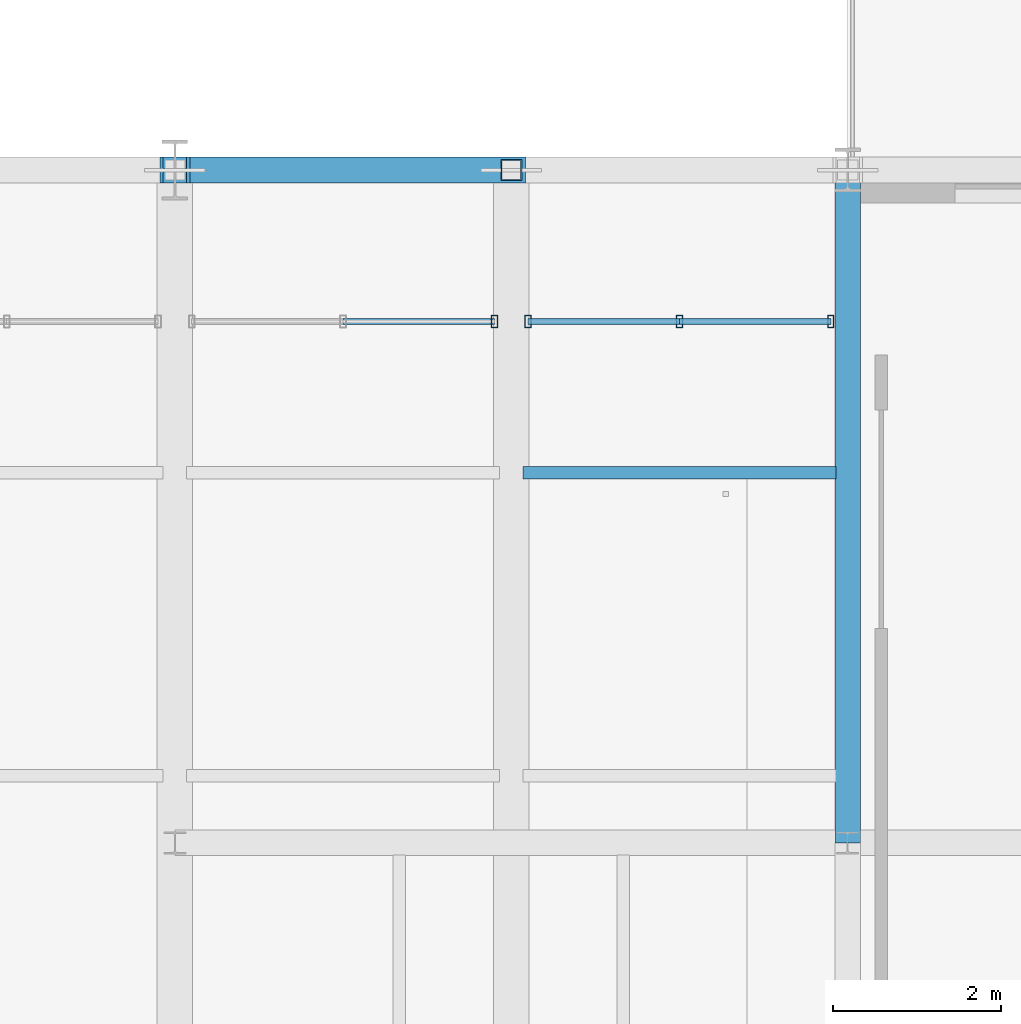
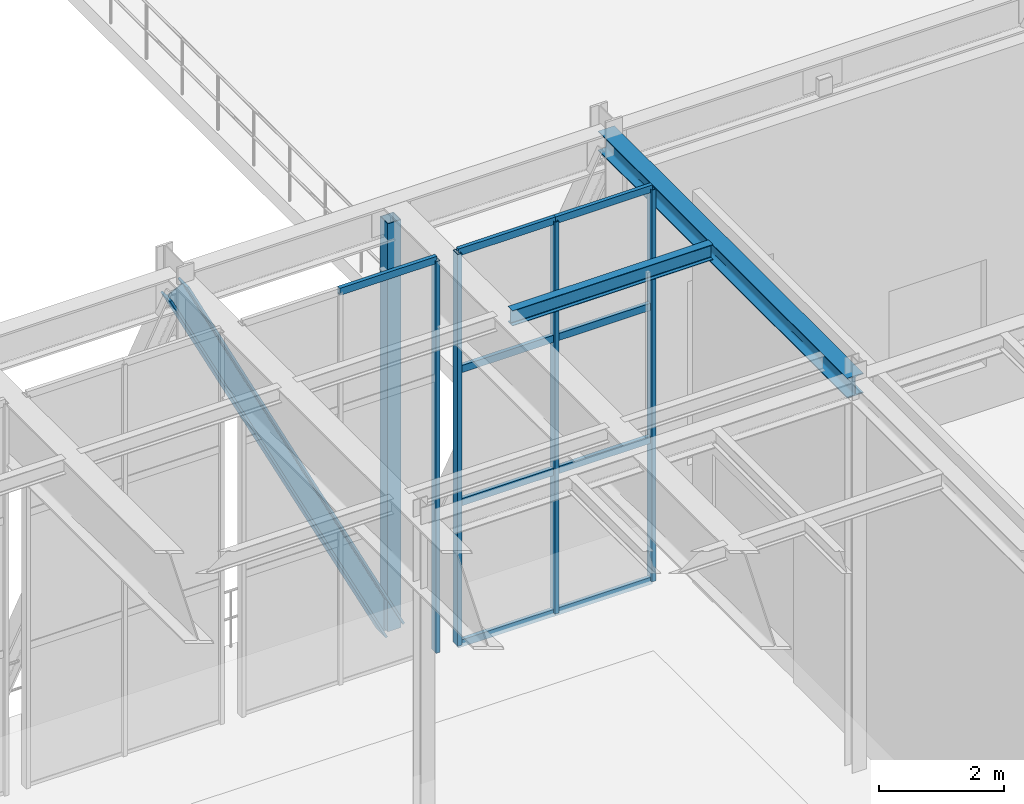
# One storey, part 33 of 138: 15 members, 2 beams, 2 elements without a shape of their own.
"""IFC4 building model written with IfcOpenShell, lengths in metres."""

from ifc_helpers import new_model, si_unit, direction, frame, origin, origin_2d, place, context, subcontext, project, spatial, hollow_rectangle, i_section, extrude, material, material_profile, profile_set, type_object, element, aggregate, save


model = new_model("IFC4")

# Units and contexts
model_context = context("Model", 3, precision=1e-05, world=origin(), true_north=direction((0.0, 1.0)))
body_context = subcontext(model_context, "Body", "Model", "MODEL_VIEW")
ifc_project = project(units=[si_unit("LENGTHUNIT", "METRE"), si_unit("AREAUNIT", "SQUARE_METRE"), si_unit("VOLUMEUNIT", "CUBIC_METRE"), si_unit("PLANEANGLEUNIT", "RADIAN"), si_unit("MASSUNIT", "GRAM", prefix="KILO")], contexts=[model_context])

# Site, building, storey
site_placement = place(None, origin())
site = spatial("IfcSite", under=ifc_project, at=site_placement, CompositionType="ELEMENT")
building_placement = place(site_placement, origin())
building = spatial("IfcBuilding", under=site, at=building_placement, Name="Sundkrona Museum", CompositionType="ELEMENT")
storey_placement = place(building_placement, frame((0.0, 0.0, 9.60009765625)))
storey = spatial("IfcBuildingStorey", under=building, at=storey_placement, Name="L02", CompositionType="ELEMENT", Elevation=9.60009765625)

# Beams
ifc_material_1 = material(Name="Steel S355J2", Category="steel")
ifc_material_profile_1 = material_profile(ifc_material_1, i_section(OverallWidth=0.300048828125, OverallDepth=0.389892578125, WebThickness=0.010986328125, FlangeThickness=0.01904296875, FilletRadius=0.027099609375, at=origin_2d()), Name="HEA 400")
ifc_profile_set_1 = profile_set([ifc_material_profile_1], Name="Steel S355J2")
beam_type_1 = type_object("IfcBeamType", Name="B-HEA400", PredefinedType="BEAM", material=ifc_profile_set_1)
beam_1_placement = place(storey_placement, frame((24.0, 46.0, 7.47998046875), z_axis=(0.0, 1.0, 0.0), x_axis=(-1.0, 0.0, 0.0)))
element("IfcBeam", 1, at=beam_1_placement, inside=storey, type_object=beam_type_1, Name="L02 Girder Y-1273", PredefinedType="BEAM", context=body_context, shape_type="SweptSolid", body=[
    extrude(i_section(OverallWidth=0.300048828125, OverallDepth=0.389892578125, WebThickness=0.010986328125, FlangeThickness=0.01904296875, FilletRadius=0.027099609375, at=origin_2d()), origin(), (0.0, 0.0, 1.0), 8.0),
])
ifc_material_profile_2 = material_profile(ifc_material_1, i_section(OverallWidth=0.14990234375, OverallDepth=0.300048828125, WebThickness=0.007080078125, FlangeThickness=0.0107421875, FilletRadius=0.014892578125, at=origin_2d()), Name="IPE 300")
ifc_profile_set_2 = profile_set([ifc_material_profile_2], Name="Steel S355J2")
beam_type_2 = type_object("IfcBeamType", Name="J-IPE300", PredefinedType="JOIST", material=ifc_profile_set_2)
beam_2_placement = place(storey_placement, frame((20.139892578125, 50.39990234375, 7.52490234375), z_axis=(1.0, 0.0, 0.0), x_axis=(0.0, 1.0, 0.0)))
element("IfcBeam", 2, at=beam_2_placement, inside=storey, type_object=beam_type_2, Name="L02 Cantilever Floor Joist", PredefinedType="JOIST", context=body_context, shape_type="SweptSolid", body=[
    extrude(i_section(OverallWidth=0.14990234375, OverallDepth=0.300048828125, WebThickness=0.007080078125, FlangeThickness=0.0107421875, FilletRadius=0.014892578125, at=origin_2d()), origin(), (0.0, 0.0, 1.0), 3.72021484375),
])

# Curtain wall, member
ifc_material_2 = material(Name="Unitised Aluminium-Steel and Ceramic-Clad Curtain Walling", Category="steel")
curtain_wall_type = type_object("IfcCurtainWallType", Name="CW-CV-36x74", PredefinedType="NOTDEFINED", material=ifc_material_2)
curtain_wall_1_placement = place(storey_placement, origin())
curtain_wall_1 = element("IfcCurtainWall", 3, at=curtain_wall_1_placement, inside=storey, type_object=curtain_wall_type, Name="L02 Curtain Wall CW-L02-149", PredefinedType="NOTDEFINED")
ifc_material_3 = material(Name="Aluminium EN AW-6060 T66", Category="aluminium")
ifc_material_profile_3 = material_profile(ifc_material_3, hollow_rectangle(XDim=0.074951171875, YDim=0.14990234375, WallThickness=0.00634765625, at=origin_2d()), Name="RHS 150x75x6.3")
ifc_profile_set_3 = profile_set([ifc_material_profile_3], Name="Aluminium EN AW-6060 T66")
member_type_1 = type_object("IfcMemberType", Name="ML-150", PredefinedType="MULLION", material=ifc_profile_set_3)
member_1_placement = place(storey_placement, frame((19.800048828125, 52.199951171875, -0.004150390625), z_axis=(0.0, 0.0, 1.0), x_axis=(1.0, 0.0, 0.0)))
member_1 = element("IfcMember", 4, at=member_1_placement, type_object=member_type_1, Name="CW-L02-149 Mullion 03", PredefinedType="MULLION", context=body_context, shape_type="SweptSolid", body=[
    extrude(hollow_rectangle(XDim=0.074951171875, YDim=0.14990234375, WallThickness=0.00634765625, at=origin_2d()), origin(), (0.0, 0.0, 1.0), 7.68310546875),
])

# Curtain wall, members
curtain_wall_2_placement = place(storey_placement, origin())
curtain_wall_2 = element("IfcCurtainWall", 5, at=curtain_wall_2_placement, inside=storey, type_object=curtain_wall_type, Name="L02 Curtain Wall CW-L02-151", PredefinedType="NOTDEFINED")
member_2_placement = place(storey_placement, frame((20.199951171875, 52.199951171875, -0.004150390625), z_axis=(0.0, 0.0, 1.0), x_axis=(1.0, 0.0, 0.0)))
member_2 = element("IfcMember", 6, at=member_2_placement, type_object=member_type_1, Name="CW-L02-151 Mullion 01", PredefinedType="MULLION", context=body_context, shape_type="SweptSolid", body=[
    extrude(hollow_rectangle(XDim=0.074951171875, YDim=0.14990234375, WallThickness=0.00634765625, at=origin_2d()), origin(), (0.0, 0.0, 1.0), 7.68310546875),
])
member_3_placement = place(storey_placement, frame((22.0, 52.199951171875, -0.004150390625), z_axis=(0.0, 0.0, 1.0), x_axis=(1.0, 0.0, 0.0)))
member_3 = element("IfcMember", 7, at=member_3_placement, type_object=member_type_1, Name="CW-L02-151 Mullion 02", PredefinedType="MULLION", context=body_context, shape_type="SweptSolid", body=[
    extrude(hollow_rectangle(XDim=0.074951171875, YDim=0.14990234375, WallThickness=0.00634765625, at=origin_2d()), origin(), (0.0, 0.0, 1.0), 7.68310546875),
])
member_4_placement = place(storey_placement, frame((23.800048828125, 52.199951171875, -0.004150390625), z_axis=(0.0, 0.0, 1.0), x_axis=(1.0, 0.0, 0.0)))
member_4 = element("IfcMember", 8, at=member_4_placement, type_object=member_type_1, Name="CW-L02-151 Mullion 03", PredefinedType="MULLION", context=body_context, shape_type="SweptSolid", body=[
    extrude(hollow_rectangle(XDim=0.074951171875, YDim=0.14990234375, WallThickness=0.00634765625, at=origin_2d()), origin(), (0.0, 0.0, 1.0), 7.68310546875),
])

# Members
ifc_material_4 = material(Name="Steel S460M", Category="steel")
ifc_material_profile_4 = material_profile(ifc_material_4, i_section(OverallWidth=0.30810546875, OverallDepth=0.39501953125, WebThickness=0.02099609375, FlangeThickness=0.0400390625, FilletRadius=0.027099609375, at=origin_2d()), Name="HEM 360")
ifc_profile_set_4 = profile_set([ifc_material_profile_4], Name="Steel S460M")
member_type_2 = type_object("IfcMemberType", Name="ST-HEM360", PredefinedType="STRUT", material=ifc_profile_set_4)
member_5_placement = place(storey_placement, frame((16.0, 54.0, 7.31982421875), z_axis=(0.4472135955, 0.0, -0.894427191), x_axis=(0.0, 1.0, 0.0)))
element("IfcMember", 9, at=member_5_placement, inside=storey, type_object=member_type_2, Name="TRS-1 Cantilever Transfer Truss N Web Diagonal 4", PredefinedType="STRUT", context=body_context, shape_type="SweptSolid", body=[
    extrude(i_section(OverallWidth=0.30810546875, OverallDepth=0.39501953125, WebThickness=0.02099609375, FlangeThickness=0.0400390625, FilletRadius=0.027099609375, at=origin_2d()), origin(), (0.0, 0.0, 1.0), 8.9443359375),
])
ifc_material_profile_5 = material_profile(ifc_material_4, hollow_rectangle(XDim=0.25, YDim=0.25, WallThickness=0.012451171875, at=origin_2d()), Name="SHS 250x250x12.5")
ifc_profile_set_5 = profile_set([ifc_material_profile_5], Name="Steel S460M")
member_type_3 = type_object("IfcMemberType", Name="ST-SHS250", PredefinedType="STRUT", material=ifc_profile_set_5)
member_6_placement = place(storey_placement, frame((20.0, 54.0, -0.68017578125), z_axis=(0.0, 0.0, 1.0), x_axis=(1.0, 0.0, 0.0)))
element("IfcMember", 10, at=member_6_placement, inside=storey, type_object=member_type_3, Name="TRS-1 Cantilever Transfer Truss N Vertical Post 5", PredefinedType="STRUT", context=body_context, shape_type="SweptSolid", body=[
    extrude(hollow_rectangle(XDim=0.25, YDim=0.25, WallThickness=0.012451171875, at=origin_2d()), origin(), (0.0, 0.0, 1.0), 8.0),
])

# Member
ifc_material_profile_6 = material_profile(ifc_material_3, hollow_rectangle(XDim=0.070068359375, YDim=0.139892578125, WallThickness=0.0048828125, at=origin_2d()), Name="RHS 140x70x5.0")
ifc_profile_set_6 = profile_set([ifc_material_profile_6], Name="Aluminium EN AW-6060 T66")
member_type_4 = type_object("IfcMemberType", Name="TR-140", PredefinedType="USERDEFINED", material=ifc_profile_set_6)
member_7_placement = place(storey_placement, frame((18.0, 52.199951171875, 7.678955078125), z_axis=(1.0, 0.0, 0.0), x_axis=(0.0, 1.0, 0.0)))
member_7 = element("IfcMember", 11, at=member_7_placement, type_object=member_type_4, Name="CW-L02-149 Transom 08", ObjectType="TRANSOM", PredefinedType="USERDEFINED", context=body_context, shape_type="SweptSolid", body=[
    extrude(hollow_rectangle(XDim=0.070068359375, YDim=0.139892578125, WallThickness=0.0048828125, at=origin_2d()), origin(), (0.0, 0.0, 1.0), 1.800048828125),
])

aggregate(curtain_wall_1, [member_1, member_7])

member_8_placement = place(storey_placement, frame((20.199951171875, 52.199951171875, -0.004150390625), z_axis=(1.0, 0.0, 0.0), x_axis=(0.0, 1.0, 0.0)))
member_8 = element("IfcMember", 12, at=member_8_placement, type_object=member_type_4, Name="CW-L02-151 Transom 01", ObjectType="TRANSOM", PredefinedType="USERDEFINED", context=body_context, shape_type="SweptSolid", body=[
    extrude(hollow_rectangle(XDim=0.070068359375, YDim=0.139892578125, WallThickness=0.0048828125, at=origin_2d()), origin(), (0.0, 0.0, 1.0), 1.800048828125),
])

member_9_placement = place(storey_placement, frame((20.199951171875, 52.199951171875, 2.762939453125), z_axis=(1.0, 0.0, 0.0), x_axis=(0.0, 1.0, 0.0)))
member_9 = element("IfcMember", 13, at=member_9_placement, type_object=member_type_4, Name="CW-L02-151 Transom 02", ObjectType="TRANSOM", PredefinedType="USERDEFINED", context=body_context, shape_type="SweptSolid", body=[
    extrude(hollow_rectangle(XDim=0.070068359375, YDim=0.139892578125, WallThickness=0.0048828125, at=origin_2d()), origin(), (0.0, 0.0, 1.0), 1.800048828125),
])

member_10_placement = place(storey_placement, frame((20.199951171875, 52.199951171875, 5.371826171875), z_axis=(1.0, 0.0, 0.0), x_axis=(0.0, 1.0, 0.0)))
member_10 = element("IfcMember", 14, at=member_10_placement, type_object=member_type_4, Name="CW-L02-151 Transom 03", ObjectType="TRANSOM", PredefinedType="USERDEFINED", context=body_context, shape_type="SweptSolid", body=[
    extrude(hollow_rectangle(XDim=0.070068359375, YDim=0.139892578125, WallThickness=0.0048828125, at=origin_2d()), origin(), (0.0, 0.0, 1.0), 1.800048828125),
])

member_11_placement = place(storey_placement, frame((20.199951171875, 52.199951171875, 7.678955078125), z_axis=(1.0, 0.0, 0.0), x_axis=(0.0, 1.0, 0.0)))
member_11 = element("IfcMember", 15, at=member_11_placement, type_object=member_type_4, Name="CW-L02-151 Transom 04", ObjectType="TRANSOM", PredefinedType="USERDEFINED", context=body_context, shape_type="SweptSolid", body=[
    extrude(hollow_rectangle(XDim=0.070068359375, YDim=0.139892578125, WallThickness=0.0048828125, at=origin_2d()), origin(), (0.0, 0.0, 1.0), 1.800048828125),
])

member_12_placement = place(storey_placement, frame((22.0, 52.199951171875, -0.004150390625), z_axis=(1.0, 0.0, 0.0), x_axis=(0.0, 1.0, 0.0)))
member_12 = element("IfcMember", 16, at=member_12_placement, type_object=member_type_4, Name="CW-L02-151 Transom 05", ObjectType="TRANSOM", PredefinedType="USERDEFINED", context=body_context, shape_type="SweptSolid", body=[
    extrude(hollow_rectangle(XDim=0.070068359375, YDim=0.139892578125, WallThickness=0.0048828125, at=origin_2d()), origin(), (0.0, 0.0, 1.0), 1.800048828125),
])

member_13_placement = place(storey_placement, frame((22.0, 52.199951171875, 2.762939453125), z_axis=(1.0, 0.0, 0.0), x_axis=(0.0, 1.0, 0.0)))
member_13 = element("IfcMember", 17, at=member_13_placement, type_object=member_type_4, Name="CW-L02-151 Transom 06", ObjectType="TRANSOM", PredefinedType="USERDEFINED", context=body_context, shape_type="SweptSolid", body=[
    extrude(hollow_rectangle(XDim=0.070068359375, YDim=0.139892578125, WallThickness=0.0048828125, at=origin_2d()), origin(), (0.0, 0.0, 1.0), 1.800048828125),
])

member_14_placement = place(storey_placement, frame((22.0, 52.199951171875, 5.371826171875), z_axis=(1.0, 0.0, 0.0), x_axis=(0.0, 1.0, 0.0)))
member_14 = element("IfcMember", 18, at=member_14_placement, type_object=member_type_4, Name="CW-L02-151 Transom 07", ObjectType="TRANSOM", PredefinedType="USERDEFINED", context=body_context, shape_type="SweptSolid", body=[
    extrude(hollow_rectangle(XDim=0.070068359375, YDim=0.139892578125, WallThickness=0.0048828125, at=origin_2d()), origin(), (0.0, 0.0, 1.0), 1.800048828125),
])

member_15_placement = place(storey_placement, frame((22.0, 52.199951171875, 7.678955078125), z_axis=(1.0, 0.0, 0.0), x_axis=(0.0, 1.0, 0.0)))
member_15 = element("IfcMember", 19, at=member_15_placement, type_object=member_type_4, Name="CW-L02-151 Transom 08", ObjectType="TRANSOM", PredefinedType="USERDEFINED", context=body_context, shape_type="SweptSolid", body=[
    extrude(hollow_rectangle(XDim=0.070068359375, YDim=0.139892578125, WallThickness=0.0048828125, at=origin_2d()), origin(), (0.0, 0.0, 1.0), 1.800048828125),
])

aggregate(curtain_wall_2, [member_2, member_3, member_4, member_8, member_9, member_10, member_11, member_12, member_13, member_14, member_15])

save(model, "model.ifc")
